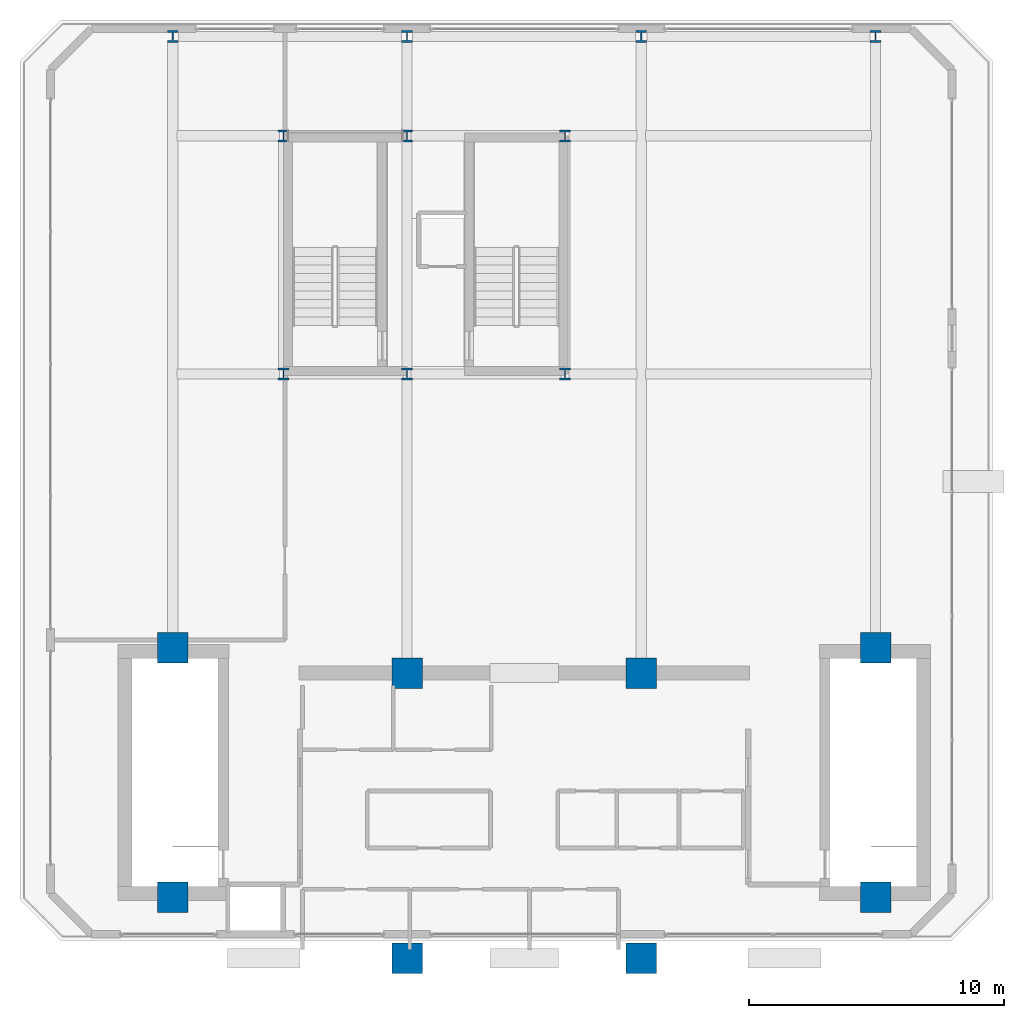
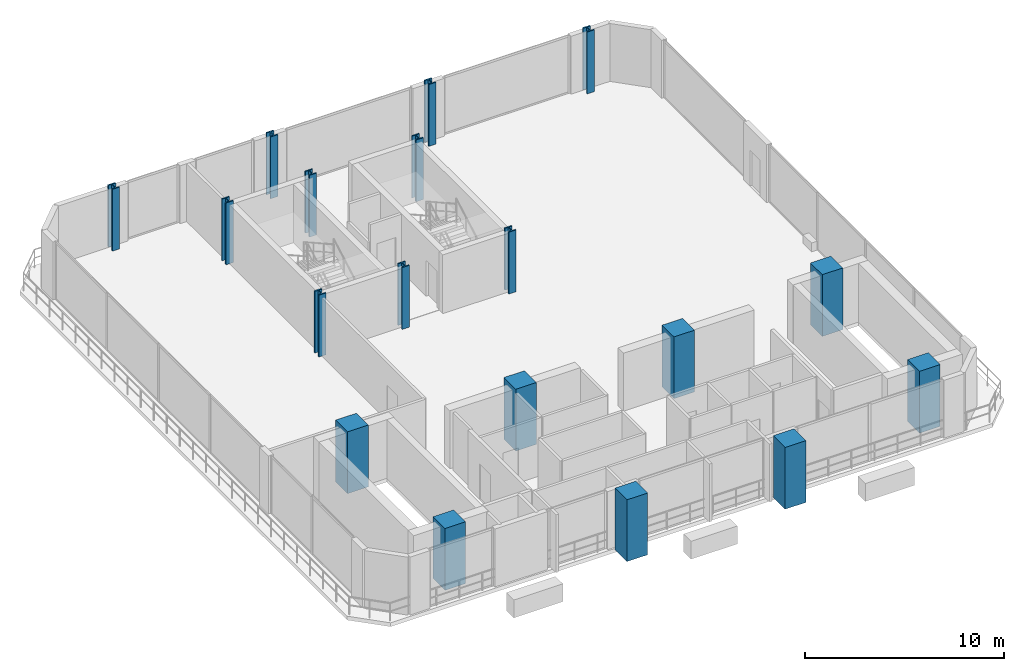
# One storey, part 1 of 26: 18 columns.
"""IFC4 building model written with IfcOpenShell, lengths in metres."""

from ifc_helpers import new_model, si_unit, direction, frame, origin, origin_2d, place, context, subcontext, project, spatial, rectangle, i_section, extrude, material, material_profile, profile_set, type_object, element, save


model = new_model("IFC4")

# Units and contexts
model_context = context("Model", 3, precision=1e-05, world=origin(), true_north=direction((0.0, 1.0)))
body_context = subcontext(model_context, "Body", "Model", "MODEL_VIEW")
ifc_project = project(units=[si_unit("LENGTHUNIT", "METRE"), si_unit("AREAUNIT", "SQUARE_METRE"), si_unit("VOLUMEUNIT", "CUBIC_METRE"), si_unit("PLANEANGLEUNIT", "RADIAN"), si_unit("MASSUNIT", "GRAM", prefix="KILO")], contexts=[model_context])

# Site, building, storey
site_placement = place(None, origin())
site = spatial("IfcSite", under=ifc_project, at=site_placement, CompositionType="ELEMENT")
building_placement = place(site_placement, origin())
building = spatial("IfcBuilding", under=site, at=building_placement, Name="Zuhayl Quay Hotel", CompositionType="ELEMENT")
storey_placement = place(building_placement, frame((0.0, 0.0, 301.050048828125)))
storey = spatial("IfcBuildingStorey", under=building, at=storey_placement, Name="Crown 2", CompositionType="ELEMENT", Elevation=301.050048828125)

# Columns
ifc_material_1 = material(Name="Concrete C60/75", Category="concrete")
ifc_material_profile_1 = material_profile(ifc_material_1, rectangle(XDim=1.199951171875, YDim=1.199951171875, at=origin_2d()), Name="RC1200X1200")
ifc_profile_set_1 = profile_set([ifc_material_profile_1], Name="Concrete C60/75")
column_type_1 = type_object("IfcColumnType", Name="CL_CC2_1200", PredefinedType="COLUMN", material=ifc_profile_set_1)
for number, where, z_axis, x_axis, name in (
    (1, (-13.800048828125, 14.35009765625, 0.0), (0.0, 0.0, 1.0), (1.0, 0.0, 0.0), "Crown 2 Core Column CC_NW"),
    (2, (-4.60009765625, 13.35009765625, 0.0), (0.0, 0.0, 1.0), (1.0, 0.0, 0.0), "Crown 2 Core Column CC_CNW"),
    (3, (4.60009765625, 13.35009765625, 0.0), (0.0, 0.0, 1.0), (1.0, 0.0, 0.0), "Crown 2 Core Column CC_CNE"),
    (4, (13.800048828125, 14.35009765625, 0.0), (0.0, 0.0, 1.0), (1.0, 0.0, 0.0), "Crown 2 Core Column CC_NE"),
    (5, (-13.800048828125, 4.550048828125, 0.0), (0.0, 0.0, 1.0), (1.0, 0.0, 0.0), "Crown 2 Core Column CC_SW"),
    (6, (-4.60009765625, 2.14990234375, 0.0), (0.0, 0.0, 1.0), (1.0, 0.0, 0.0), "Crown 2 Core Column CC_CSW"),
    (7, (4.60009765625, 2.14990234375, 0.0), (0.0, 0.0, 1.0), (1.0, 0.0, 0.0), "Crown 2 Core Column CC_CSE"),
    (8, (13.800048828125, 4.550048828125, 0.0), (0.0, 0.0, 1.0), (1.0, 0.0, 0.0), "Crown 2 Core Column CC_SE"),
):
    element("IfcColumn", number, at=place(storey_placement, frame(where, z_axis=z_axis, x_axis=x_axis)), inside=storey, type_object=column_type_1, Name=name, PredefinedType="COLUMN", context=body_context, shape_type="SweptSolid", body=[
        extrude(rectangle(XDim=1.199951171875, YDim=1.199951171875, at=origin_2d()), origin(), (0.0, 0.0, 1.0), 3.800048828125),
    ])
ifc_material_2 = material(Name="Steel ASTM A913 Grade 65", Category="steel")
ifc_material_profile_2 = material_profile(ifc_material_2, i_section(OverallWidth=0.424072265625, OverallDepth=0.47412109375, WebThickness=0.047607421875, FlangeThickness=0.076904296875, at=origin_2d()), Name="HD400X634")
ifc_profile_set_2 = profile_set([ifc_material_profile_2], Name="Steel ASTM A913 Grade 65")
column_type_2 = type_object("IfcColumnType", Name="CL_SC1_HD634", PredefinedType="COLUMN", material=ifc_profile_set_2)
for number, where, z_axis, x_axis, name in (
    (9, (-9.449951171875, 25.10009765625, 0.0), (0.0, 0.0, 1.0), (1.0, 0.0, 0.0), "Crown 2 Crown Column CRC_SW"),
    (10, (-4.60009765625, 25.10009765625, 0.0), (0.0, 0.0, 1.0), (1.0, 0.0, 0.0), "Crown 2 Crown Column CRC_SM"),
    (11, (1.60009765625, 25.10009765625, 0.0), (0.0, 0.0, 1.0), (1.0, 0.0, 0.0), "Crown 2 Crown Column CRC_SE"),
    (12, (-9.449951171875, 34.449951171875, 0.0), (0.0, 0.0, 1.0), (1.0, 0.0, 0.0), "Crown 2 Crown Column CRC_NW"),
    (13, (-4.60009765625, 34.449951171875, 0.0), (0.0, 0.0, 1.0), (1.0, 0.0, 0.0), "Crown 2 Crown Column CRC_NM"),
    (14, (1.60009765625, 34.449951171875, 0.0), (0.0, 0.0, 1.0), (1.0, 0.0, 0.0), "Crown 2 Crown Column CRC_NE"),
    (15, (-13.800048828125, 38.35009765625, 0.0), (0.0, 0.0, 1.0), (1.0, 0.0, 0.0), "Crown 2 Crown Column CRC_N1"),
    (16, (-4.60009765625, 38.35009765625, 0.0), (0.0, 0.0, 1.0), (1.0, 0.0, 0.0), "Crown 2 Crown Column CRC_N2"),
    (17, (4.60009765625, 38.35009765625, 0.0), (0.0, 0.0, 1.0), (1.0, 0.0, 0.0), "Crown 2 Crown Column CRC_N3"),
    (18, (13.800048828125, 38.35009765625, 0.0), (0.0, 0.0, 1.0), (1.0, 0.0, 0.0), "Crown 2 Crown Column CRC_N4"),
):
    element("IfcColumn", number, at=place(storey_placement, frame(where, z_axis=z_axis, x_axis=x_axis)), inside=storey, type_object=column_type_2, Name=name, PredefinedType="COLUMN", context=body_context, shape_type="SweptSolid", body=[
        extrude(i_section(OverallWidth=0.424072265625, OverallDepth=0.47412109375, WebThickness=0.047607421875, FlangeThickness=0.076904296875, at=origin_2d()), origin(), (0.0, 0.0, 1.0), 3.800048828125),
    ])

save(model, "model.ifc")
